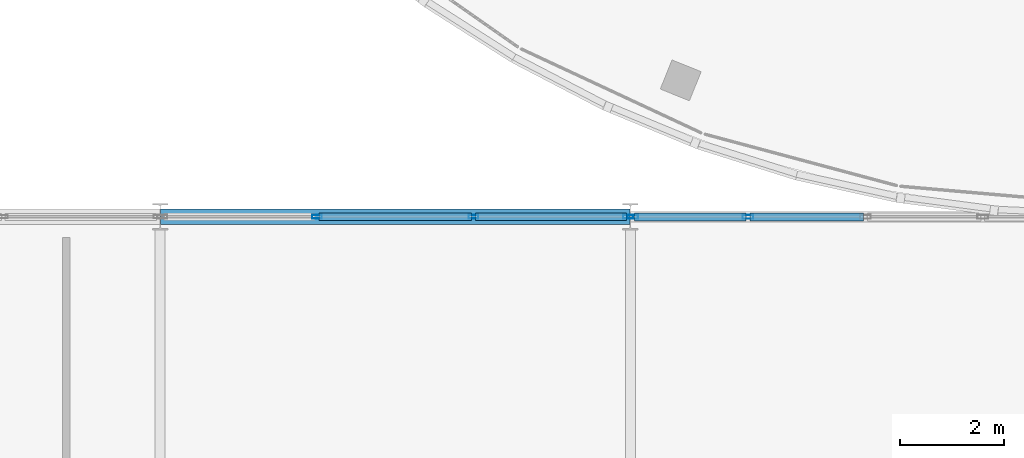
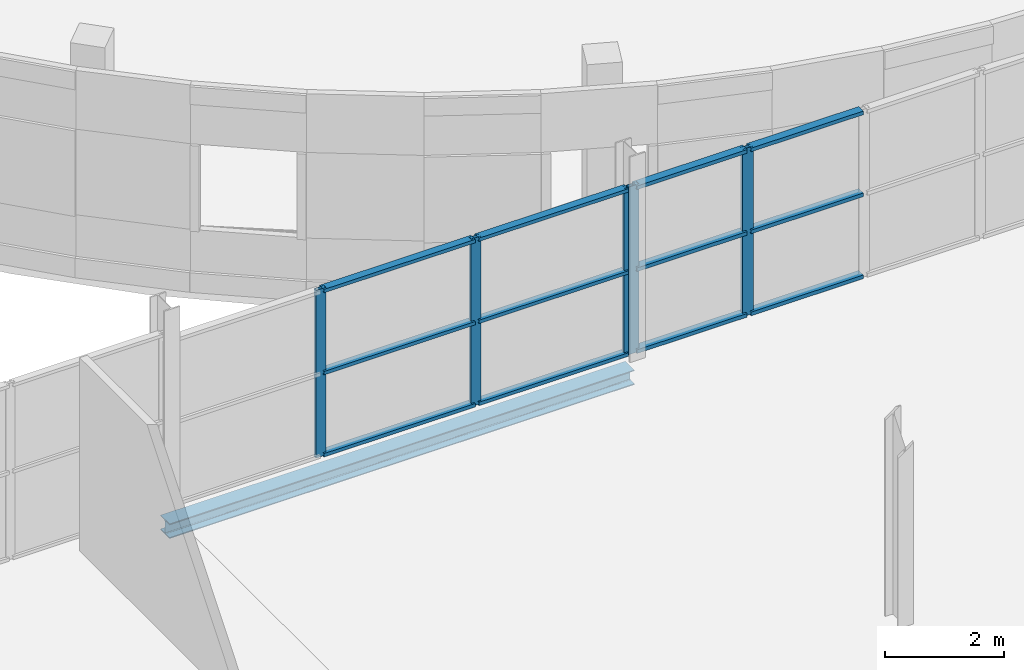
# One storey, part 77 of 140: 17 members, 1 beam, 2 elements without a shape of their own.
"""IFC4 building model written with IfcOpenShell, lengths in metres."""

from ifc_helpers import new_model, si_unit, direction, frame, origin, origin_2d, place, context, subcontext, project, spatial, hollow_rectangle, i_section, extrude, material, layer, layer_set, material_profile, profile_set, type_object, element, aggregate, save


model = new_model("IFC4")

# Units and contexts
model_context = context("Model", 3, precision=1e-05, world=origin(), true_north=direction((0.0, 1.0)))
body_context = subcontext(model_context, "Body", "Model", "MODEL_VIEW")
ifc_project = project(units=[si_unit("LENGTHUNIT", "METRE"), si_unit("AREAUNIT", "SQUARE_METRE"), si_unit("VOLUMEUNIT", "CUBIC_METRE"), si_unit("PLANEANGLEUNIT", "RADIAN"), si_unit("MASSUNIT", "GRAM", prefix="KILO")], contexts=[model_context])

# Site, building, storey
site_placement = place(None, origin())
site = spatial("IfcSite", under=ifc_project, at=site_placement, CompositionType="ELEMENT")
building_placement = place(site_placement, origin())
building = spatial("IfcBuilding", under=site, at=building_placement, Name="Deido Ridge Mobility Hub", CompositionType="ELEMENT")
storey_placement = place(building_placement, origin())
storey = spatial("IfcBuildingStorey", under=building, at=storey_placement, Name="L00", CompositionType="ELEMENT", Elevation=0.0)

# Curtain wall, members
ifc_material_1 = material(Name="Anodised aluminium EN AW-6063 T6", Category="aluminium")
ifc_layer_1 = layer(ifc_material_1, 0.16796875, Name="Anodised aluminium EN AW-6063 T6")
ifc_layer_set_1 = layer_set([ifc_layer_1], Name="Anodised aluminium EN AW-6063 T6")
curtain_wall_type_1 = type_object("IfcCurtainWallType", Name="CW-GS-4", PredefinedType="USERDEFINED", material=ifc_layer_set_1)
curtain_wall_1_placement = place(storey_placement, origin())
curtain_wall_1 = element("IfcCurtainWall", 1, at=curtain_wall_1_placement, inside=storey, type_object=curtain_wall_type_1, Name="Unitised curtain wall GS4", ObjectType="GLAZED SCREEN", PredefinedType="USERDEFINED")
ifc_material_profile_1 = material_profile(ifc_material_1, hollow_rectangle(XDim=0.070068359375, YDim=0.18994140625, WallThickness=0.00390625, at=origin_2d()), Name="RHS 70x190x4")
ifc_profile_set_1 = profile_set([ifc_material_profile_1], Name="Anodised aluminium EN AW-6063 T6")
member_type_1 = type_object("IfcMemberType", Name="MEM-MUL-70X190", PredefinedType="MULLION", material=ifc_profile_set_1)
member_1_placement = place(storey_placement, frame((30.00244140625, 81.0, 0.0), z_axis=(0.0, 0.0, 1.0), x_axis=(0.0, 1.0, 0.0)))
member_1 = element("IfcMember", 2, at=member_1_placement, type_object=member_type_1, Name="GS4 mullion 2", PredefinedType="MULLION", context=body_context, shape_type="SweptSolid", body=[
    extrude(hollow_rectangle(XDim=0.070068359375, YDim=0.18994140625, WallThickness=0.00390625, at=origin_2d()), origin(), (0.0, 0.0, 1.0), 3.425048828125),
])
member_2_placement = place(storey_placement, frame((32.99755859375, 81.0, 0.0), z_axis=(0.0, 0.0, 1.0), x_axis=(0.0, 1.0, 0.0)))
member_2 = element("IfcMember", 3, at=member_2_placement, type_object=member_type_1, Name="GS4 mullion 3", PredefinedType="MULLION", context=body_context, shape_type="SweptSolid", body=[
    extrude(hollow_rectangle(XDim=0.070068359375, YDim=0.18994140625, WallThickness=0.00390625, at=origin_2d()), origin(), (0.0, 0.0, 1.0), 3.425048828125),
])
member_3_placement = place(storey_placement, frame((35.957763671875, 81.0, 0.0), z_axis=(0.0, 0.0, 1.0), x_axis=(0.0, 1.0, 0.0)))
member_3 = element("IfcMember", 4, at=member_3_placement, type_object=member_type_1, Name="GS4 mullion 4", PredefinedType="MULLION", context=body_context, shape_type="SweptSolid", body=[
    extrude(hollow_rectangle(XDim=0.070068359375, YDim=0.18994140625, WallThickness=0.00390625, at=origin_2d()), origin(), (0.0, 0.0, 1.0), 3.425048828125),
])

ifc_layer_2 = layer(ifc_material_1, 0.132080078125, Name="Anodised aluminium EN AW-6063 T6")
ifc_layer_set_2 = layer_set([ifc_layer_2], Name="Anodised aluminium EN AW-6063 T6")
curtain_wall_type_2 = type_object("IfcCurtainWallType", Name="CW-GS-1", PredefinedType="USERDEFINED", material=ifc_layer_set_2)
curtain_wall_2_placement = place(storey_placement, origin())
curtain_wall_2 = element("IfcCurtainWall", 5, at=curtain_wall_2_placement, inside=storey, type_object=curtain_wall_type_2, Name="Unitised curtain wall GS1", ObjectType="GLAZED SCREEN", PredefinedType="USERDEFINED")
ifc_material_profile_2 = material_profile(ifc_material_1, hollow_rectangle(XDim=0.074951171875, YDim=0.205078125, WallThickness=0.00390625, at=origin_2d()), Name="RHS 75x205x4")
ifc_profile_set_2 = profile_set([ifc_material_profile_2], Name="Anodised aluminium EN AW-6063 T6")
member_type_2 = type_object("IfcMemberType", Name="MEM-MUL-75X205", PredefinedType="MULLION", material=ifc_profile_set_2)
member_4_placement = place(storey_placement, frame((36.044677734375, 81.0, 0.0), z_axis=(0.0, 0.0, 1.0), x_axis=(0.0, 1.0, 0.0)))
member_4 = element("IfcMember", 6, at=member_4_placement, type_object=member_type_2, Name="GS1 mullion 1", PredefinedType="MULLION", context=body_context, shape_type="SweptSolid", body=[
    extrude(hollow_rectangle(XDim=0.074951171875, YDim=0.205078125, WallThickness=0.00390625, at=origin_2d()), origin(), (0.0, 0.0, 1.0), 3.425048828125),
])
member_5_placement = place(storey_placement, frame((38.253662109375, 81.0, 0.0), z_axis=(0.0, 0.0, 1.0), x_axis=(0.0, 1.0, 0.0)))
member_5 = element("IfcMember", 7, at=member_5_placement, type_object=member_type_2, Name="GS1 mullion 2", PredefinedType="MULLION", context=body_context, shape_type="SweptSolid", body=[
    extrude(hollow_rectangle(XDim=0.074951171875, YDim=0.205078125, WallThickness=0.00390625, at=origin_2d()), origin(), (0.0, 0.0, 1.0), 3.425048828125),
])

# Member
ifc_material_profile_3 = material_profile(ifc_material_1, hollow_rectangle(XDim=0.14501953125, YDim=0.070068359375, WallThickness=0.00390625, at=origin_2d()), Name="RHS 145x70x4")
ifc_profile_set_3 = profile_set([ifc_material_profile_3], Name="Anodised aluminium EN AW-6063 T6")
member_type_3 = type_object("IfcMemberType", Name="MEM-TRN-145X70", PredefinedType="USERDEFINED", material=ifc_profile_set_3)
member_6_placement = place(storey_placement, frame((30.037353515625, 81.0, 0.034912109375), z_axis=(1.0, 0.0, 0.0), x_axis=(0.0, 1.0, 0.0)))
member_6 = element("IfcMember", 8, at=member_6_placement, type_object=member_type_3, Name="GS4 transom 2.1", ObjectType="TRANSOM", PredefinedType="USERDEFINED", context=body_context, shape_type="SweptSolid", body=[
    extrude(hollow_rectangle(XDim=0.14501953125, YDim=0.070068359375, WallThickness=0.00390625, at=origin_2d()), origin(), (0.0, 0.0, 1.0), 2.92529296875),
])

member_7_placement = place(storey_placement, frame((30.037353515625, 81.0, 1.71240234375), z_axis=(1.0, 0.0, 0.0), x_axis=(0.0, 1.0, 0.0)))
member_7 = element("IfcMember", 9, at=member_7_placement, type_object=member_type_3, Name="GS4 transom 2.2", ObjectType="TRANSOM", PredefinedType="USERDEFINED", context=body_context, shape_type="SweptSolid", body=[
    extrude(hollow_rectangle(XDim=0.14501953125, YDim=0.070068359375, WallThickness=0.00390625, at=origin_2d()), origin(), (0.0, 0.0, 1.0), 2.92529296875),
])

member_8_placement = place(storey_placement, frame((30.037353515625, 81.0, 3.389892578125), z_axis=(1.0, 0.0, 0.0), x_axis=(0.0, 1.0, 0.0)))
member_8 = element("IfcMember", 10, at=member_8_placement, type_object=member_type_3, Name="GS4 transom 2.3", ObjectType="TRANSOM", PredefinedType="USERDEFINED", context=body_context, shape_type="SweptSolid", body=[
    extrude(hollow_rectangle(XDim=0.14501953125, YDim=0.070068359375, WallThickness=0.00390625, at=origin_2d()), origin(), (0.0, 0.0, 1.0), 2.92529296875),
])

member_9_placement = place(storey_placement, frame((33.03271484375, 81.0, 0.034912109375), z_axis=(1.0, 0.0, 0.0), x_axis=(0.0, 1.0, 0.0)))
member_9 = element("IfcMember", 11, at=member_9_placement, type_object=member_type_3, Name="GS4 transom 3.1", ObjectType="TRANSOM", PredefinedType="USERDEFINED", context=body_context, shape_type="SweptSolid", body=[
    extrude(hollow_rectangle(XDim=0.14501953125, YDim=0.070068359375, WallThickness=0.00390625, at=origin_2d()), origin(), (0.0, 0.0, 1.0), 2.89013671875),
])

member_10_placement = place(storey_placement, frame((33.03271484375, 81.0, 1.71240234375), z_axis=(1.0, 0.0, 0.0), x_axis=(0.0, 1.0, 0.0)))
member_10 = element("IfcMember", 12, at=member_10_placement, type_object=member_type_3, Name="GS4 transom 3.2", ObjectType="TRANSOM", PredefinedType="USERDEFINED", context=body_context, shape_type="SweptSolid", body=[
    extrude(hollow_rectangle(XDim=0.14501953125, YDim=0.070068359375, WallThickness=0.00390625, at=origin_2d()), origin(), (0.0, 0.0, 1.0), 2.89013671875),
])

member_11_placement = place(storey_placement, frame((33.03271484375, 81.0, 3.389892578125), z_axis=(1.0, 0.0, 0.0), x_axis=(0.0, 1.0, 0.0)))
member_11 = element("IfcMember", 13, at=member_11_placement, type_object=member_type_3, Name="GS4 transom 3.3", ObjectType="TRANSOM", PredefinedType="USERDEFINED", context=body_context, shape_type="SweptSolid", body=[
    extrude(hollow_rectangle(XDim=0.14501953125, YDim=0.070068359375, WallThickness=0.00390625, at=origin_2d()), origin(), (0.0, 0.0, 1.0), 2.89013671875),
])

aggregate(curtain_wall_1, [member_1, member_2, member_3, member_6, member_7, member_8, member_9, member_10, member_11])

ifc_material_profile_4 = material_profile(ifc_material_1, hollow_rectangle(XDim=0.155029296875, YDim=0.074951171875, WallThickness=0.00390625, at=origin_2d()), Name="RHS 155x75x4")
ifc_profile_set_4 = profile_set([ifc_material_profile_4], Name="Anodised aluminium EN AW-6063 T6")
member_type_4 = type_object("IfcMemberType", Name="MEM-TRN-155X75", PredefinedType="USERDEFINED", material=ifc_profile_set_4)
member_12_placement = place(storey_placement, frame((36.082275390625, 81.0, 0.03759765625), z_axis=(1.0, 0.0, 0.0), x_axis=(0.0, 1.0, 0.0)))
member_12 = element("IfcMember", 14, at=member_12_placement, type_object=member_type_4, Name="GS1 transom 1.1", ObjectType="TRANSOM", PredefinedType="USERDEFINED", context=body_context, shape_type="SweptSolid", body=[
    extrude(hollow_rectangle(XDim=0.155029296875, YDim=0.074951171875, WallThickness=0.00390625, at=origin_2d()), origin(), (0.0, 0.0, 1.0), 2.1337890625),
])

member_13_placement = place(storey_placement, frame((36.082275390625, 81.0, 1.71240234375), z_axis=(1.0, 0.0, 0.0), x_axis=(0.0, 1.0, 0.0)))
member_13 = element("IfcMember", 15, at=member_13_placement, type_object=member_type_4, Name="GS1 transom 1.2", ObjectType="TRANSOM", PredefinedType="USERDEFINED", context=body_context, shape_type="SweptSolid", body=[
    extrude(hollow_rectangle(XDim=0.155029296875, YDim=0.074951171875, WallThickness=0.00390625, at=origin_2d()), origin(), (0.0, 0.0, 1.0), 2.1337890625),
])

member_14_placement = place(storey_placement, frame((36.082275390625, 81.0, 3.387451171875), z_axis=(1.0, 0.0, 0.0), x_axis=(0.0, 1.0, 0.0)))
member_14 = element("IfcMember", 16, at=member_14_placement, type_object=member_type_4, Name="GS1 transom 1.3", ObjectType="TRANSOM", PredefinedType="USERDEFINED", context=body_context, shape_type="SweptSolid", body=[
    extrude(hollow_rectangle(XDim=0.155029296875, YDim=0.074951171875, WallThickness=0.00390625, at=origin_2d()), origin(), (0.0, 0.0, 1.0), 2.1337890625),
])

member_15_placement = place(storey_placement, frame((38.291015625, 81.0, 0.03759765625), z_axis=(1.0, 0.0, 0.0), x_axis=(0.0, 1.0, 0.0)))
member_15 = element("IfcMember", 17, at=member_15_placement, type_object=member_type_4, Name="GS1 transom 2.1", ObjectType="TRANSOM", PredefinedType="USERDEFINED", context=body_context, shape_type="SweptSolid", body=[
    extrude(hollow_rectangle(XDim=0.155029296875, YDim=0.074951171875, WallThickness=0.00390625, at=origin_2d()), origin(), (0.0, 0.0, 1.0), 2.17138671875),
])

member_16_placement = place(storey_placement, frame((38.291015625, 81.0, 1.71240234375), z_axis=(1.0, 0.0, 0.0), x_axis=(0.0, 1.0, 0.0)))
member_16 = element("IfcMember", 18, at=member_16_placement, type_object=member_type_4, Name="GS1 transom 2.2", ObjectType="TRANSOM", PredefinedType="USERDEFINED", context=body_context, shape_type="SweptSolid", body=[
    extrude(hollow_rectangle(XDim=0.155029296875, YDim=0.074951171875, WallThickness=0.00390625, at=origin_2d()), origin(), (0.0, 0.0, 1.0), 2.17138671875),
])

member_17_placement = place(storey_placement, frame((38.291015625, 81.0, 3.387451171875), z_axis=(1.0, 0.0, 0.0), x_axis=(0.0, 1.0, 0.0)))
member_17 = element("IfcMember", 19, at=member_17_placement, type_object=member_type_4, Name="GS1 transom 2.3", ObjectType="TRANSOM", PredefinedType="USERDEFINED", context=body_context, shape_type="SweptSolid", body=[
    extrude(hollow_rectangle(XDim=0.155029296875, YDim=0.074951171875, WallThickness=0.00390625, at=origin_2d()), origin(), (0.0, 0.0, 1.0), 2.17138671875),
])

aggregate(curtain_wall_2, [member_4, member_5, member_12, member_13, member_14, member_15, member_16, member_17])

# Beam
ifc_material_2 = material(Name="Steel S355J2 EN 10025-2", Category="steel")
ifc_material_profile_5 = material_profile(ifc_material_2, i_section(OverallWidth=0.300048828125, OverallDepth=0.300048828125, WebThickness=0.010986328125, FlangeThickness=0.01904296875, FilletRadius=0.027099609375, at=origin_2d()), Name="HEB 300")
ifc_profile_set_5 = profile_set([ifc_material_profile_5], Name="Steel S355J2 EN 10025-2")
beam_type = type_object("IfcBeamType", Name="SPD-HEB300", PredefinedType="SPANDREL", material=ifc_profile_set_5)
beam_placement = place(storey_placement, frame((27.007080078125, 81.0, -0.409912109375), z_axis=(1.0, 0.0, 0.0), x_axis=(0.0, 1.0, 0.0)))
element("IfcBeam", 20, at=beam_placement, inside=storey, type_object=beam_type, Name="Floor beam SP1", PredefinedType="SPANDREL", context=body_context, shape_type="SweptSolid", body=[
    extrude(i_section(OverallWidth=0.300048828125, OverallDepth=0.300048828125, WebThickness=0.010986328125, FlangeThickness=0.01904296875, FilletRadius=0.027099609375, at=origin_2d()), origin(), (0.0, 0.0, 1.0), 8.98583984375),
])

save(model, "model.ifc")
